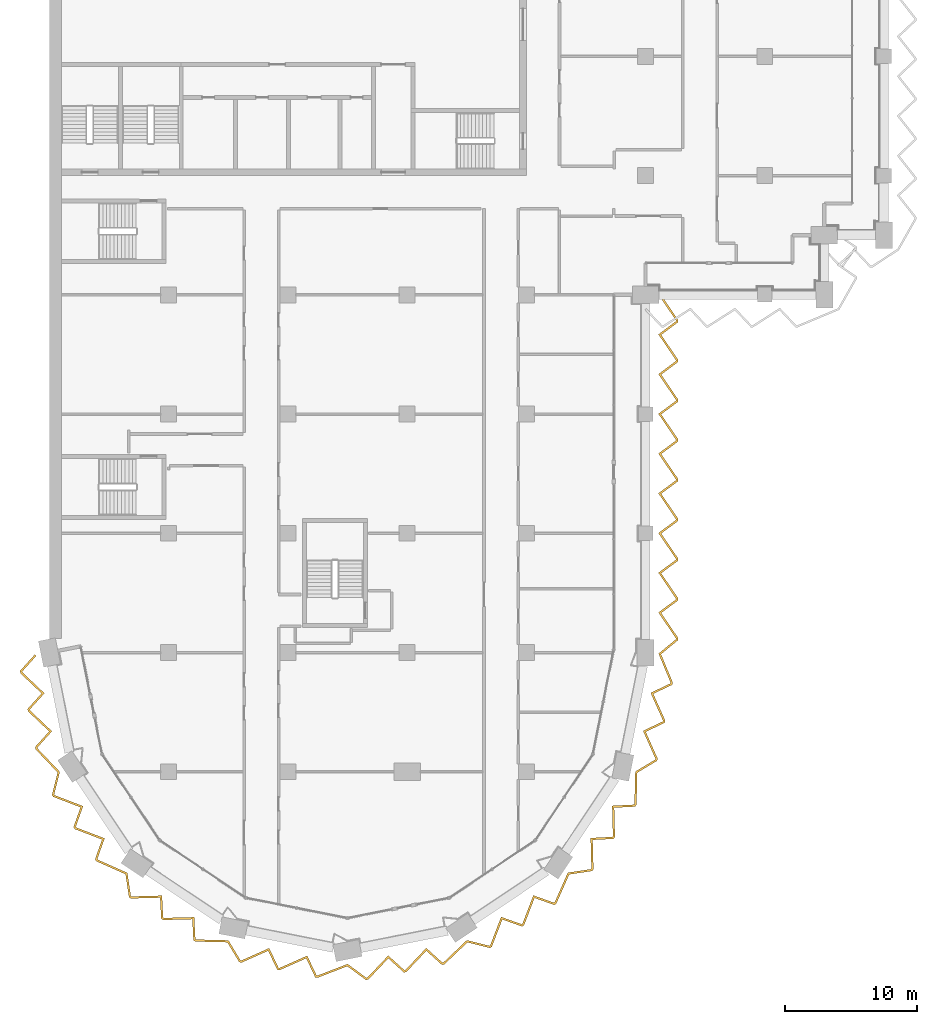
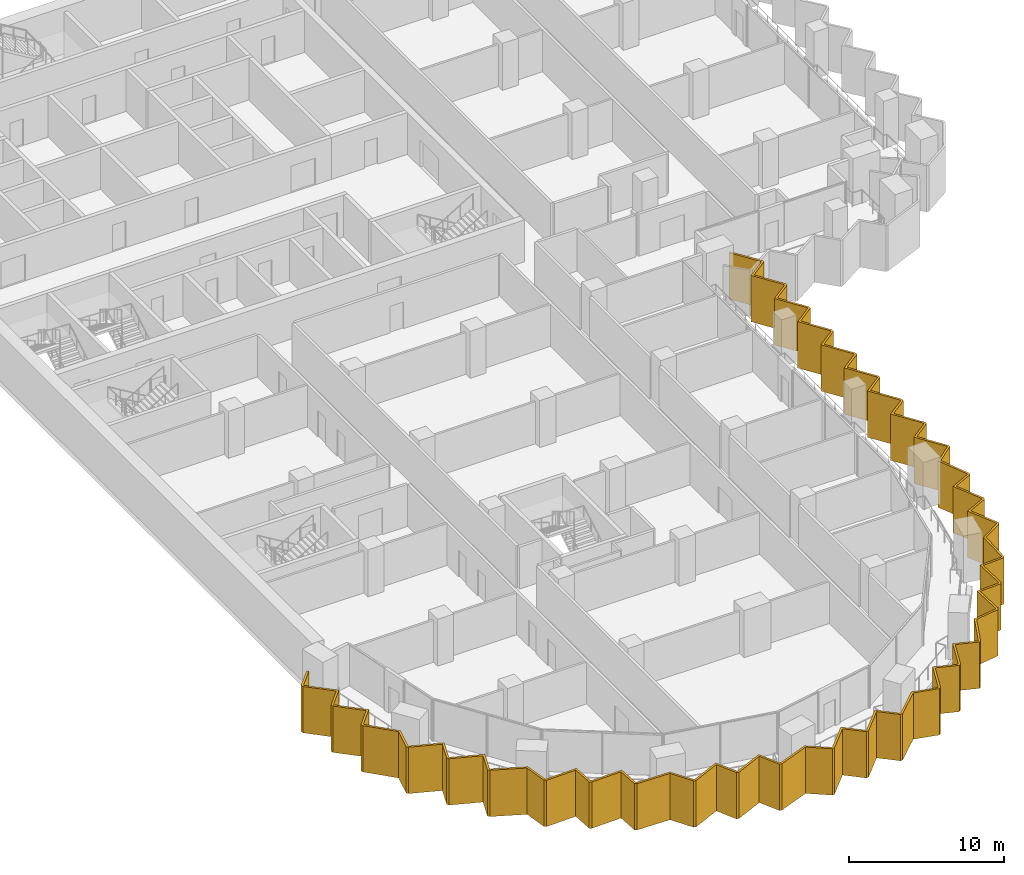
# One storey, part 18 of 22: 1 shading device.
"""IFC4 building model written with IfcOpenShell, lengths in metres."""

from ifc_helpers import new_model, si_unit, direction, frame, origin, place, context, subcontext, project, spatial, polyline, outline, extrude, material, layer, layer_set, type_object, element, save


model = new_model("IFC4")

# Units and contexts
model_context = context("Model", 3, precision=1e-05, world=origin(), true_north=direction((0.0, 1.0)))
body_context = subcontext(model_context, "Body", "Model", "MODEL_VIEW")
ifc_project = project(units=[si_unit("LENGTHUNIT", "METRE"), si_unit("AREAUNIT", "SQUARE_METRE"), si_unit("VOLUMEUNIT", "CUBIC_METRE"), si_unit("PLANEANGLEUNIT", "RADIAN"), si_unit("MASSUNIT", "GRAM", prefix="KILO")], contexts=[model_context])

# Site, building, storey
site_placement = place(None, origin())
site = spatial("IfcSite", under=ifc_project, at=site_placement, CompositionType="ELEMENT")
building_placement = place(site_placement, origin())
building = spatial("IfcBuilding", under=site, at=building_placement, Name="Hunhe Ridgeline Campus", CompositionType="ELEMENT")
storey_placement = place(building_placement, frame((0.0, 0.0, 141.199951171875)))
storey = spatial("IfcBuildingStorey", under=building, at=storey_placement, Name="L35", CompositionType="ELEMENT", Elevation=141.199951171875)

# Shading device
ifc_material = material(Name="Concrete C50", Category="concrete")
ifc_layer = layer(ifc_material, 0.14990234375)
ifc_layer_set = layer_set([ifc_layer], Name="Sawtooth concrete fin 150 Concrete C50")
shading_device_type = type_object("IfcShadingDeviceType", Name="Sawtooth concrete fin 150 Concrete C50", PredefinedType="USERDEFINED", material=ifc_layer_set)
shading_device_placement = place(storey_placement, frame((0.0, 0.0, -0.949951171875)))
element("IfcShadingDevice", 1, at=shading_device_placement, inside=storey, type_object=shading_device_type, Name="Concrete fin screen 1", ObjectType="FIN", PredefinedType="USERDEFINED", context=body_context, shape_type="SweptSolid", body=[
    extrude(outline(polyline([(-0.998779296875, 26.739990234375), (-1.110107421875, 26.840576171875), (-2.221435546875, 25.609375), (-2.18603515625, 25.431396484375), (-0.588134765625, 23.916015625), (-1.650390625, 22.7392578125), (-1.614990234375, 22.561279296875), (-0.017333984375, 21.0458984375), (-1.07958984375, 19.869140625), (-1.044677734375, 19.693359375), (0.617431640625, 17.9482421875), (0.195068359375, 16.251220703125), (0.29345703125, 16.10400390625), (2.349609375, 15.3154296875), (1.818359375, 13.82177734375), (1.919189453125, 13.670654296875), (3.975341796875, 12.88232421875), (3.444091796875, 11.388427734375), (3.543701171875, 11.2392578125), (5.7470703125, 10.26318359375), (6.00634765625, 8.53369140625), (6.153564453125, 8.435302734375), (8.35498046875, 8.49365234375), (8.435791015625, 6.91015625), (8.586669921875, 6.809326171875), (10.7880859375, 6.86767578125), (10.868896484375, 5.284423828125), (11.01806640625, 5.184814453125), (13.42724609375, 5.126220703125), (14.32861328125, 3.62744140625), (14.502197265625, 3.5927734375), (16.513671875, 4.4892578125), (17.1943359375, 3.057373046875), (17.372314453125, 3.02197265625), (19.3837890625, 3.918212890625), (20.064453125, 2.486572265625), (20.240478515625, 2.451416015625), (22.488525390625, 3.319091796875), (23.89501953125, 2.279541015625), (24.068603515625, 2.31396484375), (25.583984375, 3.911865234375), (26.7607421875, 2.849609375), (26.938720703125, 2.885009765625), (28.4541015625, 4.482666015625), (29.630859375, 3.42041015625), (29.806640625, 3.455322265625), (31.5517578125, 5.117431640625), (33.248779296875, 4.695068359375), (33.39599609375, 4.79345703125), (34.1845703125, 6.849609375), (35.67822265625, 6.318359375), (35.829345703125, 6.419189453125), (36.61767578125, 8.475341796875), (38.111572265625, 7.944091796875), (38.2607421875, 8.043701171875), (39.23681640625, 10.2470703125), (40.96630859375, 10.50634765625), (41.064697265625, 10.653564453125), (41.00634765625, 12.85498046875), (42.58984375, 12.935791015625), (42.690673828125, 13.086669921875), (42.63232421875, 15.2880859375), (44.215576171875, 15.368896484375), (44.315185546875, 15.51806640625), (44.373779296875, 17.92724609375), (45.87255859375, 18.82861328125), (45.9072265625, 19.002197265625), (45.0107421875, 21.013671875), (46.442626953125, 21.6943359375), (46.47802734375, 21.872314453125), (45.581787109375, 23.8837890625), (47.013427734375, 24.564453125), (47.048828125, 24.741455078125), (46.16552734375, 26.87158203125), (47.449951171875, 27.932861328125), (47.449951171875, 28.111083984375), (46.177490234375, 29.982666015625), (47.449951171875, 30.930419921875), (47.449951171875, 31.111083984375), (46.177490234375, 32.982666015625), (47.449951171875, 33.930419921875), (47.449951171875, 34.111083984375), (46.177490234375, 35.982666015625), (47.449951171875, 36.930419921875), (47.449951171875, 37.111083984375), (46.177490234375, 38.982666015625), (47.449951171875, 39.930419921875), (47.449951171875, 40.111083984375), (46.177490234375, 41.982666015625), (47.449951171875, 42.930419921875), (47.449951171875, 43.111083984375), (46.177490234375, 44.982666015625), (47.449951171875, 45.930419921875), (47.449951171875, 46.111083984375), (46.177490234375, 47.982666015625), (47.449951171875, 48.930419921875), (47.449951171875, 49.111083984375), (46.177490234375, 50.982666015625), (47.449951171875, 51.930419921875), (47.449951171875, 52.111083984375), (46.136962890625, 54.042236328125), (46.012939453125, 53.957763671875), (47.300048828125, 52.06494140625), (47.300048828125, 52.005859375), (45.97265625, 51.017333984375), (47.300048828125, 49.06494140625), (47.300048828125, 49.005859375), (45.97265625, 48.017333984375), (47.300048828125, 46.06494140625), (47.300048828125, 46.005859375), (45.97265625, 45.017333984375), (47.300048828125, 43.06494140625), (47.300048828125, 43.005859375), (45.97265625, 42.017333984375), (47.300048828125, 40.06494140625), (47.300048828125, 40.005859375), (45.97265625, 39.017333984375), (47.300048828125, 37.06494140625), (47.300048828125, 37.005859375), (45.97265625, 36.017333984375), (47.300048828125, 34.06494140625), (47.300048828125, 34.005859375), (45.97265625, 33.017333984375), (47.300048828125, 31.06494140625), (47.300048828125, 31.005859375), (45.97265625, 30.017333984375), (47.300048828125, 28.06494140625), (47.300048828125, 28.00341796875), (45.984375, 26.91650390625), (46.892822265625, 24.72607421875), (46.881103515625, 24.667724609375), (45.38525390625, 23.95654296875), (46.321533203125, 21.85498046875), (46.310302734375, 21.79736328125), (44.814208984375, 21.08642578125), (45.750732421875, 18.984619140625), (45.738525390625, 18.9228515625), (44.225830078125, 18.01318359375), (44.166259765625, 15.565185546875), (44.132568359375, 15.514892578125), (42.478515625, 15.430419921875), (42.539306640625, 13.13037109375), (42.5068359375, 13.081787109375), (40.8525390625, 12.997314453125), (40.91357421875, 10.697265625), (40.878662109375, 10.644775390625), (39.133056640625, 10.383056640625), (38.14111328125, 8.144287109375), (38.0908203125, 8.110595703125), (36.530029296875, 8.665771484375), (35.706298828125, 6.517333984375), (35.65771484375, 6.48486328125), (34.096923828125, 7.039794921875), (33.273193359375, 4.8916015625), (33.220703125, 4.856689453125), (31.508056640625, 5.28271484375), (29.73486328125, 3.593994140625), (29.67529296875, 3.582275390625), (28.44580078125, 4.692138671875), (26.862548828125, 3.022705078125), (26.80517578125, 3.01123046875), (25.57568359375, 4.121337890625), (23.992431640625, 2.451904296875), (23.9306640625, 2.439453125), (22.511474609375, 3.48876953125), (20.22705078125, 2.607177734375), (20.167724609375, 2.618896484375), (19.45654296875, 4.11474609375), (17.35498046875, 3.178466796875), (17.29736328125, 3.189697265625), (16.58642578125, 4.685791015625), (14.484619140625, 3.749267578125), (14.4228515625, 3.761474609375), (13.51318359375, 5.274169921875), (11.065185546875, 5.333740234375), (11.014892578125, 5.367431640625), (10.930419921875, 7.021484375), (8.63037109375, 6.960693359375), (8.581787109375, 6.9931640625), (8.497314453125, 8.6474609375), (6.197265625, 8.58642578125), (6.144775390625, 8.621337890625), (5.883056640625, 10.366943359375), (3.644287109375, 11.35888671875), (3.610595703125, 11.4091796875), (4.165771484375, 12.969970703125), (2.017333984375, 13.793701171875), (1.98486328125, 13.84228515625), (2.539794921875, 15.403076171875), (0.3916015625, 16.226806640625), (0.356689453125, 16.279296875), (0.78271484375, 17.991943359375), (-0.906005859375, 19.76513671875), (-0.917724609375, 19.82470703125), (0.192138671875, 21.05419921875), (-1.477294921875, 22.637451171875), (-1.48876953125, 22.69482421875), (-0.378662109375, 23.92431640625), (-2.048095703125, 25.507568359375), (-2.0595703125, 25.56494140625), (-0.998779296875, 26.739990234375)])), origin(), (0.0, 0.0, 1.0), 3.64990234375),
])

save(model, "model.ifc")
